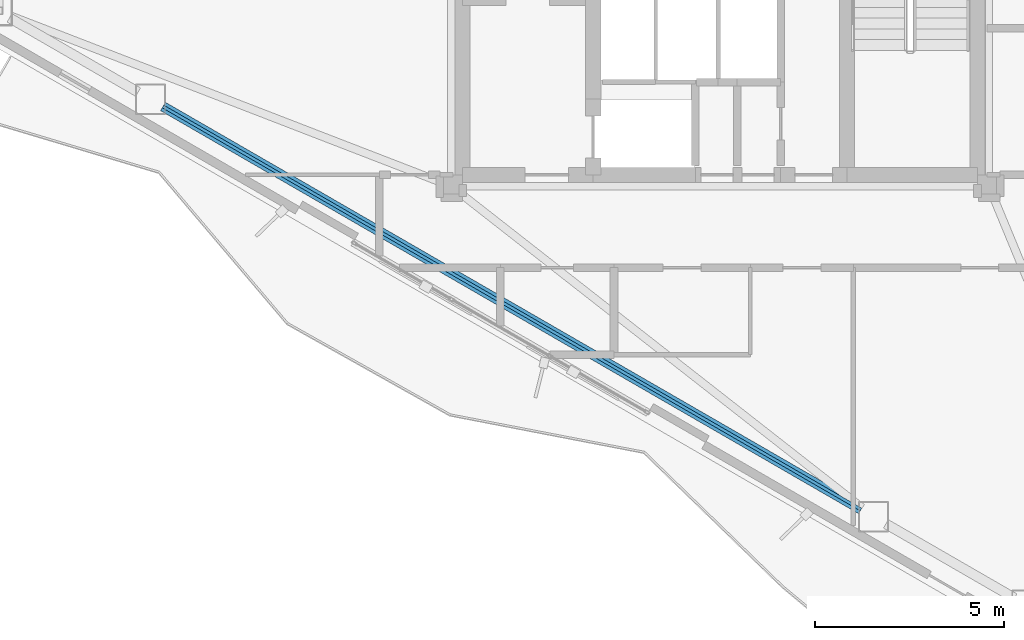
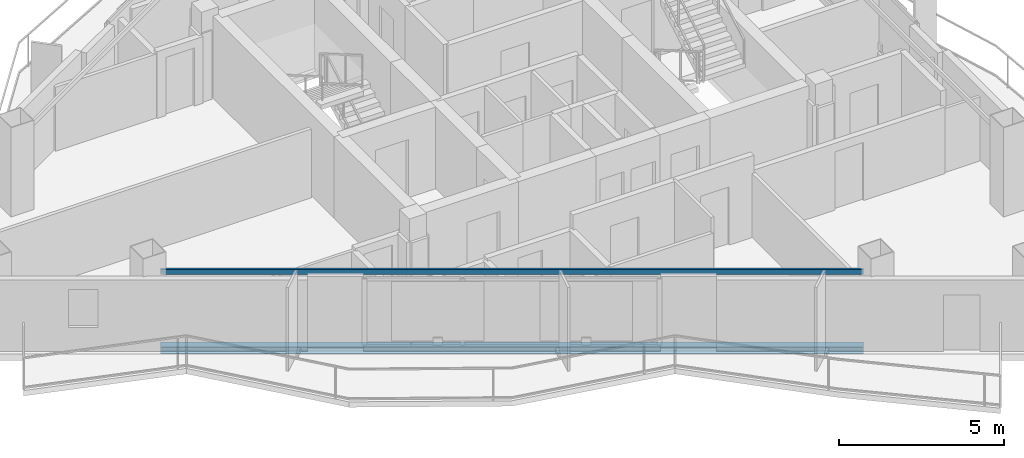
# One storey, part 3 of 21: 2 beams.
"""IFC4 building model written with IfcOpenShell, lengths in metres."""

from ifc_helpers import new_model, si_unit, direction, frame, origin, origin_2d, place, context, subcontext, project, spatial, hollow_rectangle, i_section, extrude, material, material_profile, profile_set, type_object, element, save


model = new_model("IFC4")

# Units and contexts
model_context = context("Model", 3, precision=1e-05, world=origin(), true_north=direction((0.0, 1.0)))
body_context = subcontext(model_context, "Body", "Model", "MODEL_VIEW")
ifc_project = project(units=[si_unit("LENGTHUNIT", "METRE"), si_unit("AREAUNIT", "SQUARE_METRE"), si_unit("VOLUMEUNIT", "CUBIC_METRE"), si_unit("PLANEANGLEUNIT", "RADIAN"), si_unit("MASSUNIT", "GRAM", prefix="KILO")], contexts=[model_context])

# Site, building, storey
site_placement = place(None, origin())
site = spatial("IfcSite", under=ifc_project, at=site_placement, CompositionType="ELEMENT")
building_placement = place(site_placement, origin())
building = spatial("IfcBuilding", under=site, at=building_placement, Name="Mersakhor Tower and Convention Hall", CompositionType="ELEMENT")
storey_placement = place(building_placement, frame((0.0, 0.0, 215.10009765625)))
storey = spatial("IfcBuildingStorey", under=building, at=storey_placement, Name="L60", CompositionType="ELEMENT", Elevation=215.10009765625)

# Beams
ifc_material_1 = material(Name="Steel S355", Category="steel")
ifc_material_profile_1 = material_profile(ifc_material_1, hollow_rectangle(XDim=0.080078125, YDim=0.179931640625, WallThickness=0.008056640625, at=origin_2d()), Name="RHS 180x80x8")
ifc_profile_set_1 = profile_set([ifc_material_profile_1], Name="Steel S355")
beam_type_1 = type_object("IfcBeamType", Name="BM-GRT-RHS180", PredefinedType="USERDEFINED", material=ifc_profile_set_1)
beam_1_placement = place(storey_placement, frame((32.72265625, 11.912353515625, 2.47998046875), z_axis=(-0.866024569776, 0.500001444543, 0.0), x_axis=(-0.500001444543, -0.866024569776, 0.0)))
element("IfcBeam", 1, at=beam_1_placement, inside=storey, type_object=beam_type_1, Name="L60 Facade Support Girt GRT-F3", ObjectType="GIRT", PredefinedType="USERDEFINED", context=body_context, shape_type="SweptSolid", body=[
    extrude(hollow_rectangle(XDim=0.080078125, YDim=0.179931640625, WallThickness=0.008056640625, at=origin_2d()), origin(), (0.0, 0.0, 1.0), 21.28564453125),
])
ifc_material_2 = material(Name="Steel S355", Category="steel")
ifc_material_profile_2 = material_profile(ifc_material_2, i_section(OverallWidth=0.25634765625, OverallDepth=0.26025390625, WebThickness=0.01025390625, FlangeThickness=0.017333984375, at=origin_2d()), Name="UC 254x254x89")
ifc_profile_set_2 = profile_set([ifc_material_profile_2], Name="Steel S355")
beam_type_2 = type_object("IfcBeamType", Name="BM-SPD-UC254", PredefinedType="SPANDREL", material=ifc_profile_set_2)
beam_2_placement = place(storey_placement, frame((32.72265625, 11.912353515625, -0.360107421875), z_axis=(-0.866024569776, 0.500001444543, 0.0), x_axis=(-0.500001444543, -0.866024569776, 0.0)))
element("IfcBeam", 2, at=beam_2_placement, inside=storey, type_object=beam_type_2, Name="L60 Perimeter Spandrel Beam SPB-10", PredefinedType="SPANDREL", context=body_context, shape_type="SweptSolid", body=[
    extrude(i_section(OverallWidth=0.25634765625, OverallDepth=0.26025390625, WebThickness=0.01025390625, FlangeThickness=0.017333984375, at=origin_2d()), origin(), (0.0, 0.0, 1.0), 21.28564453125),
])

save(model, "model.ifc")
